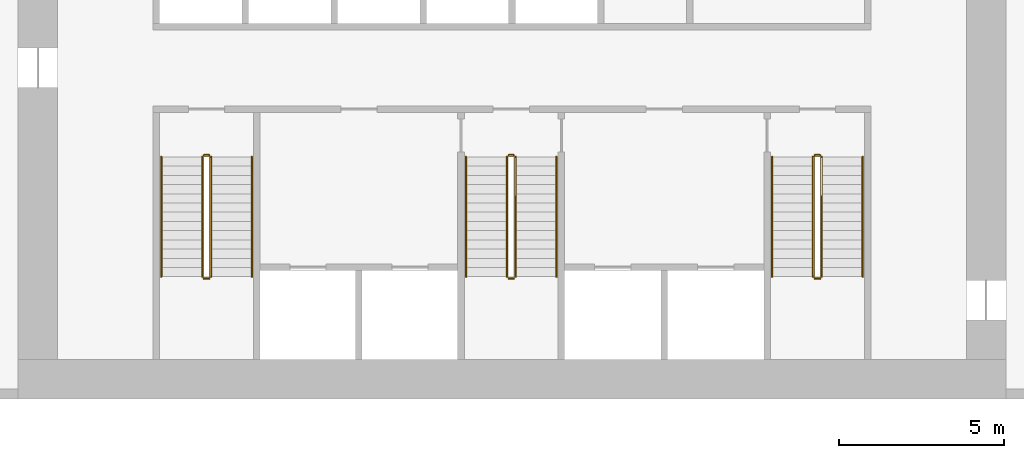
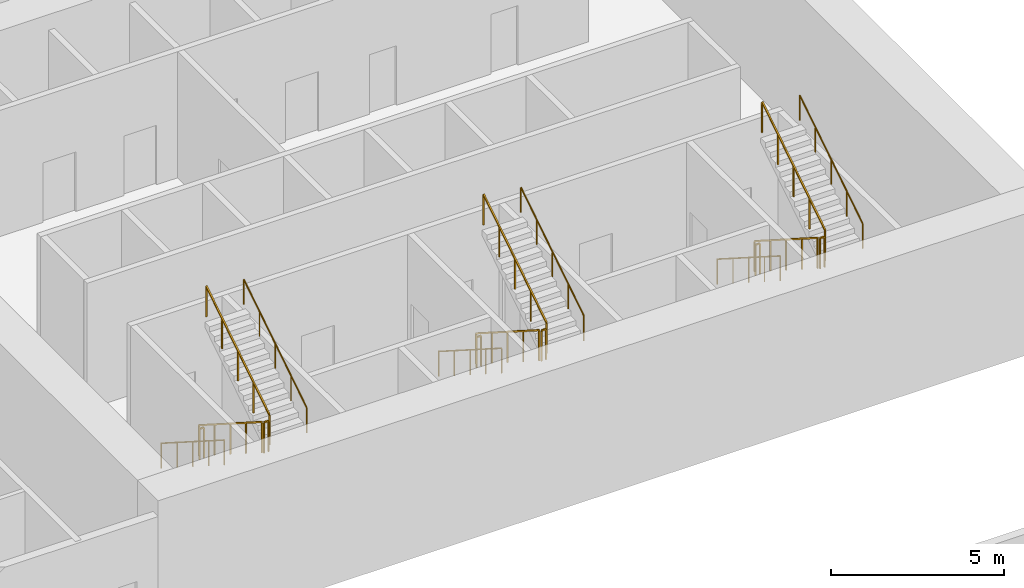
# One storey, part 10 of 11: 18 railings.
"""IFC4 building model written with IfcOpenShell, lengths in metres."""

from ifc_helpers import new_model, si_unit, direction, frame, origin, origin_2d, place, context, subcontext, project, spatial, rectangle, circle, extrude, material, type_object, element, save


model = new_model("IFC4")

# Units and contexts
model_context = context("Model", 3, precision=1e-05, world=origin(), true_north=direction((0.0, 1.0)))
body_context = subcontext(model_context, "Body", "Model", "MODEL_VIEW")
ifc_project = project(units=[si_unit("LENGTHUNIT", "METRE"), si_unit("AREAUNIT", "SQUARE_METRE"), si_unit("VOLUMEUNIT", "CUBIC_METRE"), si_unit("PLANEANGLEUNIT", "RADIAN"), si_unit("MASSUNIT", "GRAM", prefix="KILO")], contexts=[model_context])

# Site, building, storey
site_placement = place(None, origin())
site = spatial("IfcSite", under=ifc_project, at=site_placement, CompositionType="ELEMENT")
building_placement = place(site_placement, origin())
building = spatial("IfcBuilding", under=site, at=building_placement, Name="Mangrove Gate Tower", CompositionType="ELEMENT")
storey_placement = place(building_placement, frame((0.0, 0.0, 6.0)))
storey = spatial("IfcBuildingStorey", under=building, at=storey_placement, Name="L01", CompositionType="ELEMENT", Elevation=6.0)

# Railings
ifc_material_1 = material(Name="Stainless steel 316", Category="steel")
railing_type_1 = type_object("IfcRailingType", Name="Core stair guard 1100", PredefinedType="GUARDRAIL", material=ifc_material_1)
railing_1_placement = place(storey_placement, frame((-9.39990234375, -4.64990234375, 0.178466796875)))
element("IfcRailing", 1, at=railing_1_placement, inside=storey, type_object=railing_type_1, Name="L01 ST1 stair guard 1", PredefinedType="GUARDRAIL", context=body_context, shape_type="SweptSolid", body=[
    extrude(rectangle(XDim=0.048095703125, YDim=0.048095703125, at=origin_2d()), frame((0.0, 0.0, 1.076171875), z_axis=(0.0, -0.843127859045, 0.537713132908), x_axis=(1.0, 0.0, 0.0)), (0.0, 0.0, 1.0), 4.3173828125),
    extrude(rectangle(XDim=0.0419921875, YDim=0.0419921875, at=origin_2d()), origin(), (0.0, 0.0, 1.0), 1.052001953125),
    extrude(rectangle(XDim=0.0419921875, YDim=0.0419921875, at=origin_2d()), frame((0.0, -0.91015625, 0.580322265625)), (0.0, 0.0, 1.0), 1.052001953125),
    extrude(rectangle(XDim=0.0419921875, YDim=0.0419921875, at=origin_2d()), frame((0.0, -1.820068359375, 1.16064453125)), (0.0, 0.0, 1.0), 1.052001953125),
    extrude(rectangle(XDim=0.0419921875, YDim=0.0419921875, at=origin_2d()), frame((0.0, -2.72998046875, 1.7412109375)), (0.0, 0.0, 1.0), 1.052001953125),
    extrude(rectangle(XDim=0.0419921875, YDim=0.0419921875, at=origin_2d()), frame((0.0, -3.64013671875, 2.321533203125)), (0.0, 0.0, 1.0), 1.052001953125),
])
railing_2_placement = place(storey_placement, frame((-9.35009765625, -8.340087890625, 2.5)))
element("IfcRailing", 2, at=railing_2_placement, inside=storey, type_object=railing_type_1, Name="L01 ST1 stair guard 2", PredefinedType="GUARDRAIL", context=body_context, shape_type="SweptSolid", body=[
    extrude(rectangle(XDim=0.048095703125, YDim=0.048095703125, at=origin_2d()), frame((0.0, 0.0, 1.076171875), z_axis=(1.0, 0.0, 0.0), x_axis=(0.0, 1.0, 0.0)), (0.0, 0.0, 1.0), 0.150146484375),
    extrude(rectangle(XDim=0.0419921875, YDim=0.0419921875, at=origin_2d()), origin(), (0.0, 0.0, 1.0), 1.052001953125),
    extrude(rectangle(XDim=0.0419921875, YDim=0.0419921875, at=origin_2d()), frame((0.150146484375, 0.0, 0.0)), (0.0, 0.0, 1.0), 1.052001953125),
])
railing_3_placement = place(storey_placement, frame((-9.14990234375, -8.2900390625, 2.678466796875)))
element("IfcRailing", 3, at=railing_3_placement, inside=storey, type_object=railing_type_1, Name="L01 ST1 stair guard 3", PredefinedType="GUARDRAIL", context=body_context, shape_type="SweptSolid", body=[
    extrude(rectangle(XDim=0.048095703125, YDim=0.048095703125, at=origin_2d()), frame((0.0, 0.0, 1.076171875), z_axis=(0.0, 0.843127859045, 0.537713132908), x_axis=(-1.0, 0.0, 0.0)), (0.0, 0.0, 1.0), 4.3173828125),
    extrude(rectangle(XDim=0.0419921875, YDim=0.0419921875, at=origin_2d()), origin(), (0.0, 0.0, 1.0), 1.052001953125),
    extrude(rectangle(XDim=0.0419921875, YDim=0.0419921875, at=origin_2d()), frame((0.0, 0.91015625, 0.580322265625)), (0.0, 0.0, 1.0), 1.052001953125),
    extrude(rectangle(XDim=0.0419921875, YDim=0.0419921875, at=origin_2d()), frame((0.0, 1.820068359375, 1.16064453125)), (0.0, 0.0, 1.0), 1.052001953125),
    extrude(rectangle(XDim=0.0419921875, YDim=0.0419921875, at=origin_2d()), frame((0.0, 2.72998046875, 1.7412109375)), (0.0, 0.0, 1.0), 1.052001953125),
    extrude(rectangle(XDim=0.0419921875, YDim=0.0419921875, at=origin_2d()), frame((0.0, 3.64013671875, 2.321533203125)), (0.0, 0.0, 1.0), 1.052001953125),
])
railing_4_placement = place(storey_placement, frame((-9.35009765625, -4.60009765625, 0.0)))
element("IfcRailing", 4, at=railing_4_placement, inside=storey, type_object=railing_type_1, Name="L01 ST1 stair guard 4", PredefinedType="GUARDRAIL", context=body_context, shape_type="SweptSolid", body=[
    extrude(rectangle(XDim=0.048095703125, YDim=0.048095703125, at=origin_2d()), frame((0.0, 0.0, 1.076171875), z_axis=(1.0, 0.0, 0.0), x_axis=(0.0, 1.0, 0.0)), (0.0, 0.0, 1.0), 0.150146484375),
    extrude(rectangle(XDim=0.0419921875, YDim=0.0419921875, at=origin_2d()), origin(), (0.0, 0.0, 1.0), 1.052001953125),
    extrude(rectangle(XDim=0.0419921875, YDim=0.0419921875, at=origin_2d()), frame((0.150146484375, 0.0, 0.0)), (0.0, 0.0, 1.0), 1.052001953125),
])
railing_5_placement = place(storey_placement, frame((-0.14990234375, -4.64990234375, 0.178466796875)))
element("IfcRailing", 5, at=railing_5_placement, inside=storey, type_object=railing_type_1, Name="L01 ST2 stair guard 1", PredefinedType="GUARDRAIL", context=body_context, shape_type="SweptSolid", body=[
    extrude(rectangle(XDim=0.048095703125, YDim=0.048095703125, at=origin_2d()), frame((0.0, 0.0, 1.076171875), z_axis=(0.0, -0.843127859045, 0.537713132908), x_axis=(1.0, 0.0, 0.0)), (0.0, 0.0, 1.0), 4.3173828125),
    extrude(rectangle(XDim=0.0419921875, YDim=0.0419921875, at=origin_2d()), origin(), (0.0, 0.0, 1.0), 1.052001953125),
    extrude(rectangle(XDim=0.0419921875, YDim=0.0419921875, at=origin_2d()), frame((0.0, -0.91015625, 0.580322265625)), (0.0, 0.0, 1.0), 1.052001953125),
    extrude(rectangle(XDim=0.0419921875, YDim=0.0419921875, at=origin_2d()), frame((0.0, -1.820068359375, 1.16064453125)), (0.0, 0.0, 1.0), 1.052001953125),
    extrude(rectangle(XDim=0.0419921875, YDim=0.0419921875, at=origin_2d()), frame((0.0, -2.72998046875, 1.7412109375)), (0.0, 0.0, 1.0), 1.052001953125),
    extrude(rectangle(XDim=0.0419921875, YDim=0.0419921875, at=origin_2d()), frame((0.0, -3.64013671875, 2.321533203125)), (0.0, 0.0, 1.0), 1.052001953125),
])
railing_6_placement = place(storey_placement, frame((-0.10009765625, -8.340087890625, 2.5)))
element("IfcRailing", 6, at=railing_6_placement, inside=storey, type_object=railing_type_1, Name="L01 ST2 stair guard 2", PredefinedType="GUARDRAIL", context=body_context, shape_type="SweptSolid", body=[
    extrude(rectangle(XDim=0.048095703125, YDim=0.048095703125, at=origin_2d()), frame((0.0, 0.0, 1.076171875), z_axis=(1.0, 0.0, 0.0), x_axis=(0.0, 1.0, 0.0)), (0.0, 0.0, 1.0), 0.150146484375),
    extrude(rectangle(XDim=0.0419921875, YDim=0.0419921875, at=origin_2d()), origin(), (0.0, 0.0, 1.0), 1.052001953125),
    extrude(rectangle(XDim=0.0419921875, YDim=0.0419921875, at=origin_2d()), frame((0.150146484375, 0.0, 0.0)), (0.0, 0.0, 1.0), 1.052001953125),
])
railing_7_placement = place(storey_placement, frame((0.10009765625, -8.2900390625, 2.678466796875)))
element("IfcRailing", 7, at=railing_7_placement, inside=storey, type_object=railing_type_1, Name="L01 ST2 stair guard 3", PredefinedType="GUARDRAIL", context=body_context, shape_type="SweptSolid", body=[
    extrude(rectangle(XDim=0.048095703125, YDim=0.048095703125, at=origin_2d()), frame((0.0, 0.0, 1.076171875), z_axis=(0.0, 0.843127859045, 0.537713132908), x_axis=(-1.0, 0.0, 0.0)), (0.0, 0.0, 1.0), 4.3173828125),
    extrude(rectangle(XDim=0.0419921875, YDim=0.0419921875, at=origin_2d()), origin(), (0.0, 0.0, 1.0), 1.052001953125),
    extrude(rectangle(XDim=0.0419921875, YDim=0.0419921875, at=origin_2d()), frame((0.0, 0.91015625, 0.580322265625)), (0.0, 0.0, 1.0), 1.052001953125),
    extrude(rectangle(XDim=0.0419921875, YDim=0.0419921875, at=origin_2d()), frame((0.0, 1.820068359375, 1.16064453125)), (0.0, 0.0, 1.0), 1.052001953125),
    extrude(rectangle(XDim=0.0419921875, YDim=0.0419921875, at=origin_2d()), frame((0.0, 2.72998046875, 1.7412109375)), (0.0, 0.0, 1.0), 1.052001953125),
    extrude(rectangle(XDim=0.0419921875, YDim=0.0419921875, at=origin_2d()), frame((0.0, 3.64013671875, 2.321533203125)), (0.0, 0.0, 1.0), 1.052001953125),
])
railing_8_placement = place(storey_placement, frame((-0.10009765625, -4.60009765625, 0.0)))
element("IfcRailing", 8, at=railing_8_placement, inside=storey, type_object=railing_type_1, Name="L01 ST2 stair guard 4", PredefinedType="GUARDRAIL", context=body_context, shape_type="SweptSolid", body=[
    extrude(rectangle(XDim=0.048095703125, YDim=0.048095703125, at=origin_2d()), frame((0.0, 0.0, 1.076171875), z_axis=(1.0, 0.0, 0.0), x_axis=(0.0, 1.0, 0.0)), (0.0, 0.0, 1.0), 0.150146484375),
    extrude(rectangle(XDim=0.0419921875, YDim=0.0419921875, at=origin_2d()), origin(), (0.0, 0.0, 1.0), 1.052001953125),
    extrude(rectangle(XDim=0.0419921875, YDim=0.0419921875, at=origin_2d()), frame((0.150146484375, 0.0, 0.0)), (0.0, 0.0, 1.0), 1.052001953125),
])
railing_9_placement = place(storey_placement, frame((9.14990234375, -4.64990234375, 0.178466796875)))
element("IfcRailing", 9, at=railing_9_placement, inside=storey, type_object=railing_type_1, Name="L01 ST3 stair guard 1", PredefinedType="GUARDRAIL", context=body_context, shape_type="SweptSolid", body=[
    extrude(rectangle(XDim=0.048095703125, YDim=0.048095703125, at=origin_2d()), frame((0.0, 0.0, 1.076171875), z_axis=(0.0, -0.843127859045, 0.537713132908), x_axis=(1.0, 0.0, 0.0)), (0.0, 0.0, 1.0), 4.3173828125),
    extrude(rectangle(XDim=0.0419921875, YDim=0.0419921875, at=origin_2d()), origin(), (0.0, 0.0, 1.0), 1.052001953125),
    extrude(rectangle(XDim=0.0419921875, YDim=0.0419921875, at=origin_2d()), frame((0.0, -0.91015625, 0.580322265625)), (0.0, 0.0, 1.0), 1.052001953125),
    extrude(rectangle(XDim=0.0419921875, YDim=0.0419921875, at=origin_2d()), frame((0.0, -1.820068359375, 1.16064453125)), (0.0, 0.0, 1.0), 1.052001953125),
    extrude(rectangle(XDim=0.0419921875, YDim=0.0419921875, at=origin_2d()), frame((0.0, -2.72998046875, 1.7412109375)), (0.0, 0.0, 1.0), 1.052001953125),
    extrude(rectangle(XDim=0.0419921875, YDim=0.0419921875, at=origin_2d()), frame((0.0, -3.64013671875, 2.321533203125)), (0.0, 0.0, 1.0), 1.052001953125),
])
railing_10_placement = place(storey_placement, frame((9.199951171875, -8.340087890625, 2.5)))
element("IfcRailing", 10, at=railing_10_placement, inside=storey, type_object=railing_type_1, Name="L01 ST3 stair guard 2", PredefinedType="GUARDRAIL", context=body_context, shape_type="SweptSolid", body=[
    extrude(rectangle(XDim=0.048095703125, YDim=0.048095703125, at=origin_2d()), frame((0.0, 0.0, 1.076171875), z_axis=(1.0, 0.0, 0.0), x_axis=(0.0, 1.0, 0.0)), (0.0, 0.0, 1.0), 0.150146484375),
    extrude(rectangle(XDim=0.0419921875, YDim=0.0419921875, at=origin_2d()), origin(), (0.0, 0.0, 1.0), 1.052001953125),
    extrude(rectangle(XDim=0.0419921875, YDim=0.0419921875, at=origin_2d()), frame((0.150146484375, 0.0, 0.0)), (0.0, 0.0, 1.0), 1.052001953125),
])
railing_11_placement = place(storey_placement, frame((9.39990234375, -8.2900390625, 2.678466796875)))
element("IfcRailing", 11, at=railing_11_placement, inside=storey, type_object=railing_type_1, Name="L01 ST3 stair guard 3", PredefinedType="GUARDRAIL", context=body_context, shape_type="SweptSolid", body=[
    extrude(rectangle(XDim=0.048095703125, YDim=0.048095703125, at=origin_2d()), frame((0.0, 0.0, 1.076171875), z_axis=(0.0, 0.843127859045, 0.537713132908), x_axis=(-1.0, 0.0, 0.0)), (0.0, 0.0, 1.0), 4.3173828125),
    extrude(rectangle(XDim=0.0419921875, YDim=0.0419921875, at=origin_2d()), origin(), (0.0, 0.0, 1.0), 1.052001953125),
    extrude(rectangle(XDim=0.0419921875, YDim=0.0419921875, at=origin_2d()), frame((0.0, 0.91015625, 0.580322265625)), (0.0, 0.0, 1.0), 1.052001953125),
    extrude(rectangle(XDim=0.0419921875, YDim=0.0419921875, at=origin_2d()), frame((0.0, 1.820068359375, 1.16064453125)), (0.0, 0.0, 1.0), 1.052001953125),
    extrude(rectangle(XDim=0.0419921875, YDim=0.0419921875, at=origin_2d()), frame((0.0, 2.72998046875, 1.7412109375)), (0.0, 0.0, 1.0), 1.052001953125),
    extrude(rectangle(XDim=0.0419921875, YDim=0.0419921875, at=origin_2d()), frame((0.0, 3.64013671875, 2.321533203125)), (0.0, 0.0, 1.0), 1.052001953125),
])
railing_12_placement = place(storey_placement, frame((9.199951171875, -4.60009765625, 0.0)))
element("IfcRailing", 12, at=railing_12_placement, inside=storey, type_object=railing_type_1, Name="L01 ST3 stair guard 4", PredefinedType="GUARDRAIL", context=body_context, shape_type="SweptSolid", body=[
    extrude(rectangle(XDim=0.048095703125, YDim=0.048095703125, at=origin_2d()), frame((0.0, 0.0, 1.076171875), z_axis=(1.0, 0.0, 0.0), x_axis=(0.0, 1.0, 0.0)), (0.0, 0.0, 1.0), 0.150146484375),
    extrude(rectangle(XDim=0.0419921875, YDim=0.0419921875, at=origin_2d()), origin(), (0.0, 0.0, 1.0), 1.052001953125),
    extrude(rectangle(XDim=0.0419921875, YDim=0.0419921875, at=origin_2d()), frame((0.150146484375, 0.0, 0.0)), (0.0, 0.0, 1.0), 1.052001953125),
])
ifc_material_2 = material(Name="Stainless steel 316", Category="steel")
railing_type_2 = type_object("IfcRailingType", Name="Core stair handrail 900", PredefinedType="HANDRAIL", material=ifc_material_2)
railing_13_placement = place(storey_placement, frame((-10.64990234375, -4.64990234375, 0.178466796875)))
element("IfcRailing", 13, at=railing_13_placement, inside=storey, type_object=railing_type_2, Name="L01 ST1 stair handrail 1", PredefinedType="HANDRAIL", context=body_context, shape_type="SweptSolid", body=[
    extrude(circle(Radius=0.02392578125, at=origin_2d()), frame((0.0, 0.0, 0.8759765625), z_axis=(0.0, -0.843127859045, 0.537713132908), x_axis=(1.0, 0.0, 0.0)), (0.0, 0.0, 1.0), 4.3173828125),
    extrude(circle(Radius=0.02099609375, at=origin_2d()), origin(), (0.0, 0.0, 1.0), 0.851806640625),
    extrude(circle(Radius=0.02099609375, at=origin_2d()), frame((0.0, -0.91015625, 0.580322265625)), (0.0, 0.0, 1.0), 0.851806640625),
    extrude(circle(Radius=0.02099609375, at=origin_2d()), frame((0.0, -1.820068359375, 1.16064453125)), (0.0, 0.0, 1.0), 0.851806640625),
    extrude(circle(Radius=0.02099609375, at=origin_2d()), frame((0.0, -2.72998046875, 1.7412109375)), (0.0, 0.0, 1.0), 0.851806640625),
    extrude(circle(Radius=0.02099609375, at=origin_2d()), frame((0.0, -3.64013671875, 2.321533203125)), (0.0, 0.0, 1.0), 0.851806640625),
])
railing_14_placement = place(storey_placement, frame((-7.89990234375, -8.2900390625, 2.678466796875)))
element("IfcRailing", 14, at=railing_14_placement, inside=storey, type_object=railing_type_2, Name="L01 ST1 stair handrail 2", PredefinedType="HANDRAIL", context=body_context, shape_type="SweptSolid", body=[
    extrude(circle(Radius=0.02392578125, at=origin_2d()), frame((0.0, 0.0, 0.8759765625), z_axis=(0.0, 0.843127859045, 0.537713132908), x_axis=(-1.0, 0.0, 0.0)), (0.0, 0.0, 1.0), 4.3173828125),
    extrude(circle(Radius=0.02099609375, at=origin_2d()), origin(), (0.0, 0.0, 1.0), 0.851806640625),
    extrude(circle(Radius=0.02099609375, at=origin_2d()), frame((0.0, 0.91015625, 0.580322265625)), (0.0, 0.0, 1.0), 0.851806640625),
    extrude(circle(Radius=0.02099609375, at=origin_2d()), frame((0.0, 1.820068359375, 1.16064453125)), (0.0, 0.0, 1.0), 0.851806640625),
    extrude(circle(Radius=0.02099609375, at=origin_2d()), frame((0.0, 2.72998046875, 1.7412109375)), (0.0, 0.0, 1.0), 0.851806640625),
    extrude(circle(Radius=0.02099609375, at=origin_2d()), frame((0.0, 3.64013671875, 2.321533203125)), (0.0, 0.0, 1.0), 0.851806640625),
])
railing_15_placement = place(storey_placement, frame((-1.39990234375, -4.64990234375, 0.178466796875)))
element("IfcRailing", 15, at=railing_15_placement, inside=storey, type_object=railing_type_2, Name="L01 ST2 stair handrail 1", PredefinedType="HANDRAIL", context=body_context, shape_type="SweptSolid", body=[
    extrude(circle(Radius=0.02392578125, at=origin_2d()), frame((0.0, 0.0, 0.8759765625), z_axis=(0.0, -0.843127859045, 0.537713132908), x_axis=(1.0, 0.0, 0.0)), (0.0, 0.0, 1.0), 4.3173828125),
    extrude(circle(Radius=0.02099609375, at=origin_2d()), origin(), (0.0, 0.0, 1.0), 0.851806640625),
    extrude(circle(Radius=0.02099609375, at=origin_2d()), frame((0.0, -0.91015625, 0.580322265625)), (0.0, 0.0, 1.0), 0.851806640625),
    extrude(circle(Radius=0.02099609375, at=origin_2d()), frame((0.0, -1.820068359375, 1.16064453125)), (0.0, 0.0, 1.0), 0.851806640625),
    extrude(circle(Radius=0.02099609375, at=origin_2d()), frame((0.0, -2.72998046875, 1.7412109375)), (0.0, 0.0, 1.0), 0.851806640625),
    extrude(circle(Radius=0.02099609375, at=origin_2d()), frame((0.0, -3.64013671875, 2.321533203125)), (0.0, 0.0, 1.0), 0.851806640625),
])
railing_16_placement = place(storey_placement, frame((1.35009765625, -8.2900390625, 2.678466796875)))
element("IfcRailing", 16, at=railing_16_placement, inside=storey, type_object=railing_type_2, Name="L01 ST2 stair handrail 2", PredefinedType="HANDRAIL", context=body_context, shape_type="SweptSolid", body=[
    extrude(circle(Radius=0.02392578125, at=origin_2d()), frame((0.0, 0.0, 0.8759765625), z_axis=(0.0, 0.843127859045, 0.537713132908), x_axis=(-1.0, 0.0, 0.0)), (0.0, 0.0, 1.0), 4.3173828125),
    extrude(circle(Radius=0.02099609375, at=origin_2d()), origin(), (0.0, 0.0, 1.0), 0.851806640625),
    extrude(circle(Radius=0.02099609375, at=origin_2d()), frame((0.0, 0.91015625, 0.580322265625)), (0.0, 0.0, 1.0), 0.851806640625),
    extrude(circle(Radius=0.02099609375, at=origin_2d()), frame((0.0, 1.820068359375, 1.16064453125)), (0.0, 0.0, 1.0), 0.851806640625),
    extrude(circle(Radius=0.02099609375, at=origin_2d()), frame((0.0, 2.72998046875, 1.7412109375)), (0.0, 0.0, 1.0), 0.851806640625),
    extrude(circle(Radius=0.02099609375, at=origin_2d()), frame((0.0, 3.64013671875, 2.321533203125)), (0.0, 0.0, 1.0), 0.851806640625),
])
railing_17_placement = place(storey_placement, frame((7.89990234375, -4.64990234375, 0.178466796875)))
element("IfcRailing", 17, at=railing_17_placement, inside=storey, type_object=railing_type_2, Name="L01 ST3 stair handrail 1", PredefinedType="HANDRAIL", context=body_context, shape_type="SweptSolid", body=[
    extrude(circle(Radius=0.02392578125, at=origin_2d()), frame((0.0, 0.0, 0.8759765625), z_axis=(0.0, -0.843127859045, 0.537713132908), x_axis=(1.0, 0.0, 0.0)), (0.0, 0.0, 1.0), 4.3173828125),
    extrude(circle(Radius=0.02099609375, at=origin_2d()), origin(), (0.0, 0.0, 1.0), 0.851806640625),
    extrude(circle(Radius=0.02099609375, at=origin_2d()), frame((0.0, -0.91015625, 0.580322265625)), (0.0, 0.0, 1.0), 0.851806640625),
    extrude(circle(Radius=0.02099609375, at=origin_2d()), frame((0.0, -1.820068359375, 1.16064453125)), (0.0, 0.0, 1.0), 0.851806640625),
    extrude(circle(Radius=0.02099609375, at=origin_2d()), frame((0.0, -2.72998046875, 1.7412109375)), (0.0, 0.0, 1.0), 0.851806640625),
    extrude(circle(Radius=0.02099609375, at=origin_2d()), frame((0.0, -3.64013671875, 2.321533203125)), (0.0, 0.0, 1.0), 0.851806640625),
])
railing_18_placement = place(storey_placement, frame((10.64990234375, -8.2900390625, 2.678466796875)))
element("IfcRailing", 18, at=railing_18_placement, inside=storey, type_object=railing_type_2, Name="L01 ST3 stair handrail 2", PredefinedType="HANDRAIL", context=body_context, shape_type="SweptSolid", body=[
    extrude(circle(Radius=0.02392578125, at=origin_2d()), frame((0.0, 0.0, 0.8759765625), z_axis=(0.0, 0.843127859045, 0.537713132908), x_axis=(-1.0, 0.0, 0.0)), (0.0, 0.0, 1.0), 4.3173828125),
    extrude(circle(Radius=0.02099609375, at=origin_2d()), origin(), (0.0, 0.0, 1.0), 0.851806640625),
    extrude(circle(Radius=0.02099609375, at=origin_2d()), frame((0.0, 0.91015625, 0.580322265625)), (0.0, 0.0, 1.0), 0.851806640625),
    extrude(circle(Radius=0.02099609375, at=origin_2d()), frame((0.0, 1.820068359375, 1.16064453125)), (0.0, 0.0, 1.0), 0.851806640625),
    extrude(circle(Radius=0.02099609375, at=origin_2d()), frame((0.0, 2.72998046875, 1.7412109375)), (0.0, 0.0, 1.0), 0.851806640625),
    extrude(circle(Radius=0.02099609375, at=origin_2d()), frame((0.0, 3.64013671875, 2.321533203125)), (0.0, 0.0, 1.0), 0.851806640625),
])

save(model, "model.ifc")
